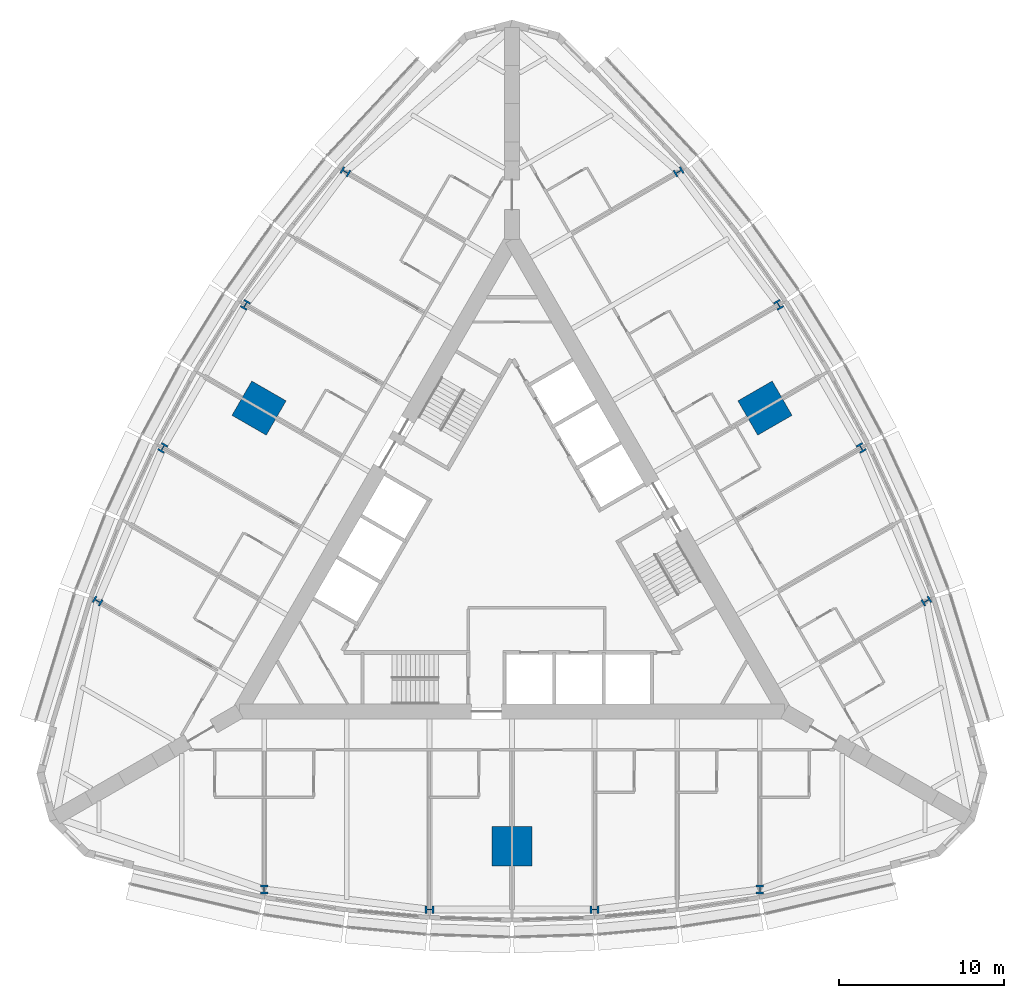
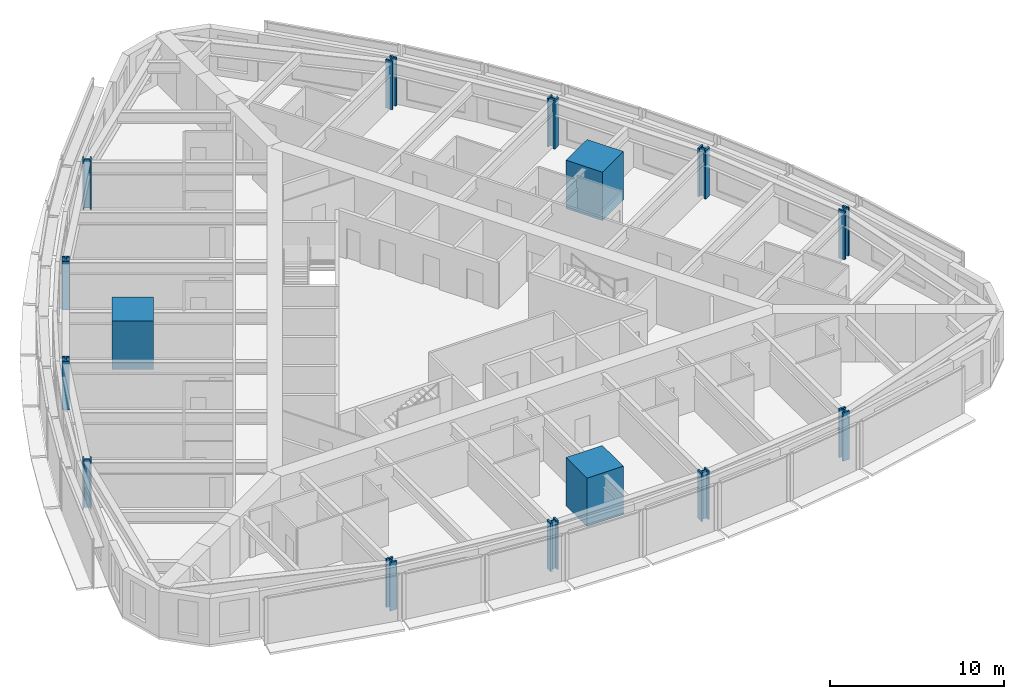
# One storey, part 1 of 14: 15 columns.
"""IFC4 building model written with IfcOpenShell, lengths in metres."""

import ifcopenshell
import ifcopenshell.guid

model = None  # the IFC model being written
_history = None  # IfcOwnerHistory: only IFC2X3 demands one
_inside = {}  # id of a spatial element -> (the spatial element, [elements in it])
_under = {}  # id of a project, library or spatial element -> (it, [spatial elements below it])
_declared = {}  # id of a project -> (the project, [libraries it declares])
_typed = {}  # id of a type object -> (the type object, [elements of that type])
_made_of = {}  # id of a material, layer set ... -> (it, [elements and type objects made of it])


def new_model(schema):
    """Start an empty IFC model of exactly this schema.

    Asked for "IFC4X3", IfcOpenShell would pick the latest addendum, in which some entities
    have other attributes; the version numbers below select the first issue.
    IFC2X3 requires an IfcOwnerHistory on every rooted entity: one is made here for all.
    """
    global model, _history
    if schema == "IFC4X3":
        model = ifcopenshell.file(schema_version=(4, 3, 0, 0))
    else:
        model = ifcopenshell.file(schema=schema)
    _inside.clear()
    _under.clear()
    _declared.clear()
    _typed.clear()
    _made_of.clear()
    _history = None
    if model.schema == "IFC2X3":
        org = make("IfcOrganization", Name="unknown")
        user = make(
            "IfcPersonAndOrganization",
            ThePerson=make("IfcPerson", FamilyName="unknown"),
            TheOrganization=org,
        )
        app = make(
            "IfcApplication",
            ApplicationDeveloper=org,
            Version="unknown",
            ApplicationFullName="unknown",
            ApplicationIdentifier="unknown",
        )
        _history = make(
            "IfcOwnerHistory",
            OwningUser=user,
            OwningApplication=app,
            ChangeAction="ADDED",
            CreationDate=0,
        )
    return model


def make(cls, **values):
    """One entity of the class cls with the attributes given. An attribute that is None is left unset."""
    return model.create_entity(
        cls, **{name: value for name, value in values.items() if value is not None}
    )


def rooted(cls, **values):
    """An entity with a GlobalId (a new one), such as an element, a storey or a relation."""
    return make(cls, GlobalId=ifcopenshell.guid.new(), OwnerHistory=_history, **values)


def si_unit(unit_type, name, prefix=None):
    """IfcSIUnit, for example si_unit("LENGTHUNIT", "METRE", prefix="MILLI")."""
    return make("IfcSIUnit", UnitType=unit_type, Prefix=prefix, Name=name)


def assignment(units):
    """IfcUnitAssignment: the units of a project."""
    return None if units is None else make("IfcUnitAssignment", Units=units)


def point(xyz):
    """IfcCartesianPoint."""
    return None if xyz is None else make("IfcCartesianPoint", Coordinates=xyz)


def direction(xyz):
    """IfcDirection."""
    return None if xyz is None else make("IfcDirection", DirectionRatios=xyz)


def frame(location, z_axis=None, x_axis=None):
    """IfcAxis2Placement3D, a coordinate frame: its origin and axes. An axis left out is left unset."""
    return make(
        "IfcAxis2Placement3D",
        Location=point(location),
        Axis=direction(z_axis),
        RefDirection=direction(x_axis),
    )


def frame_2d(location, x_axis=None):
    """IfcAxis2Placement2D, a coordinate frame in the plane: its origin and x axis."""
    return make(
        "IfcAxis2Placement2D", Location=point(location), RefDirection=direction(x_axis)
    )


def origin():
    """The frame at (0, 0, 0) with its axes left unset."""
    return frame((0.0, 0.0, 0.0))


def origin_2d():
    """The frame at (0, 0) in the plane with its x axis left unset."""
    return frame_2d((0.0, 0.0))


def place(relative_to, where):
    """IfcLocalPlacement: puts the frame where relative to a parent placement (None: the world)."""
    return make(
        "IfcLocalPlacement", PlacementRelTo=relative_to, RelativePlacement=where
    )


def context(
    kind, dimensions, precision=None, world=None, true_north=None, identifier=None
):
    """IfcGeometricRepresentationContext, for example the 3D "Model" context."""
    return make(
        "IfcGeometricRepresentationContext",
        ContextIdentifier=identifier,
        ContextType=kind,
        CoordinateSpaceDimension=dimensions,
        Precision=precision,
        WorldCoordinateSystem=world,
        TrueNorth=true_north,
    )


def subcontext(parent, identifier, kind, view, scale=None):
    """IfcGeometricRepresentationSubContext, for example "Body" below "Model"."""
    return make(
        "IfcGeometricRepresentationSubContext",
        ContextIdentifier=identifier,
        ContextType=kind,
        ParentContext=parent,
        TargetScale=scale,
        TargetView=view,
    )


def project(units=None, contexts=None):
    """IfcProject with its units and contexts."""
    return rooted(
        "IfcProject",
        Name="project",
        RepresentationContexts=contexts,
        UnitsInContext=assignment(units),
    )


def spatial(cls, under=None, at=None, **own):
    """A site, building, storey or space (cls), placed at a placement, below another one or the project."""
    s = rooted(cls, ObjectPlacement=at, **own)
    if under is not None:
        _under.setdefault(under.id(), (under, []))[1].append(s)
    return s


def profile(cls, at=None, kind="AREA", **sizes):
    """A parametric profile (cls). Its sizes go by their IFC names, for example OverallWidth=200.0."""
    return make(cls, ProfileType=kind, Position=at, **sizes)


def rectangle(**sizes):
    """IfcRectangleProfileDef."""
    return profile("IfcRectangleProfileDef", **sizes)


def i_section(**sizes):
    """IfcIShapeProfileDef."""
    return profile("IfcIShapeProfileDef", **sizes)


def extrude(swept, where, along, depth):
    """IfcExtrudedAreaSolid: the profile swept, set in the frame where, extruded along a direction by depth."""
    return make(
        "IfcExtrudedAreaSolid",
        SweptArea=swept,
        Position=where,
        ExtrudedDirection=direction(along),
        Depth=depth,
    )


def shape(context_of_items, identifier, shape_type, items):
    """IfcShapeRepresentation: the items that make up one representation, for example the "Body"."""
    return make(
        "IfcShapeRepresentation",
        ContextOfItems=context_of_items,
        RepresentationIdentifier=identifier,
        RepresentationType=shape_type,
        Items=items,
    )


def material(Name=None, Category=None):
    """IfcMaterial."""
    return make("IfcMaterial", Name=Name, Category=Category)


def material_profile(
    of_material, cross_section, Name=None, Category=None, Priority=None
):
    """IfcMaterialProfile: a cross section and its material."""
    return make(
        "IfcMaterialProfile",
        Name=Name,
        Material=of_material,
        Profile=cross_section,
        Priority=Priority,
        Category=Category,
    )


def profile_set(profiles, Name=None, composite=None):
    """IfcMaterialProfileSet."""
    return make(
        "IfcMaterialProfileSet",
        Name=Name,
        MaterialProfiles=profiles,
        CompositeProfile=composite,
    )


def made_of(thing, what):
    """Note that an element or type object is made of a material, layer set ...; save() writes the relation."""
    if what is not None:
        _made_of.setdefault(what.id(), (what, []))[1].append(thing)
    return thing


def type_object(cls, material=None, **own):
    """A type object (cls), such as IfcWallType, which elements share."""
    return made_of(rooted(cls, **own), material)


def element(
    cls,
    number,
    at=None,
    inside=None,
    cuts=None,
    type_object=None,
    material=None,
    context=None,
    identifier="Body",
    shape_type=None,
    held_by="IfcProductDefinitionShape",
    body=None,
    shapes=None,
    **own,
):
    """One element of the class cls, such as IfcWall. Its Tag is "e" and its number.

    at: its placement. inside: the storey or other place that contains it. cuts: it is an
    opening in that element (IfcRelVoidsElement). A single representation is given by context,
    identifier, shape_type and body (its items); several are given by shapes. held_by: the class
    of the entity that holds the representations. save() writes the other relations.
    """
    e = rooted(cls, Tag="e%d" % number, ObjectPlacement=at, **own)
    if body is not None:
        shapes = [shape(context, identifier, shape_type, body)]
    if shapes is not None:
        e.Representation = make(held_by, Representations=shapes)
    if inside is not None:
        _inside.setdefault(inside.id(), (inside, []))[1].append(e)
    if cuts is not None:
        rooted(
            "IfcRelVoidsElement", RelatingBuildingElement=cuts, RelatedOpeningElement=e
        )
    if type_object is not None:
        _typed.setdefault(type_object.id(), (type_object, []))[1].append(e)
    return made_of(e, material)


def aggregate(whole, parts):
    """IfcRelAggregates: a whole, such as a stair, and the parts it consists of."""
    return rooted("IfcRelAggregates", RelatingObject=whole, RelatedObjects=parts)


def save(model, path):
    """Write the relations noted so far, then the file.

    IfcRelAggregates (storeys below a building ...), IfcRelContainedInSpatialStructure (elements
    in a storey), IfcRelDefinesByType, IfcRelAssociatesMaterial and IfcRelDeclares: one each for
    every whole, place, type object, material and project.
    """
    for whole, parts in _under.values():
        aggregate(whole, parts)
    for where, things in _inside.values():
        rooted(
            "IfcRelContainedInSpatialStructure",
            RelatedElements=things,
            RelatingStructure=where,
        )
    for kind, things in _typed.values():
        rooted("IfcRelDefinesByType", RelatedObjects=things, RelatingType=kind)
    for what, things in _made_of.values():
        rooted("IfcRelAssociatesMaterial", RelatedObjects=things, RelatingMaterial=what)
    for by, libraries in _declared.values():
        rooted("IfcRelDeclares", RelatingContext=by, RelatedDefinitions=libraries)
    model.write(path)


model = new_model("IFC4")

# Units and contexts
model_context = context("Model", 3, precision=1e-05, world=origin(), true_north=direction((0.0, 1.0)))
body_context = subcontext(model_context, "Body", "Model", "MODEL_VIEW")
ifc_project = project(units=[si_unit("LENGTHUNIT", "METRE"), si_unit("AREAUNIT", "SQUARE_METRE"), si_unit("VOLUMEUNIT", "CUBIC_METRE"), si_unit("PLANEANGLEUNIT", "RADIAN"), si_unit("MASSUNIT", "GRAM", prefix="KILO")], contexts=[model_context])

# Site, building, storey
site_placement = place(None, origin())
site = spatial("IfcSite", under=ifc_project, at=site_placement, CompositionType="ELEMENT")
building_placement = place(site_placement, origin())
building = spatial("IfcBuilding", under=site, at=building_placement, Name="Trikona Tower", CompositionType="ELEMENT")
storey_placement = place(building_placement, frame((0.0, 0.0, 86.300048828125)))
storey = spatial("IfcBuildingStorey", under=building, at=storey_placement, Name="L22", CompositionType="ELEMENT", Elevation=86.300048828125)

# Columns
ifc_material_1 = material(Name="Concrete f'c 10000 psi with encased steel section", Category="concrete")
ifc_material_profile_1 = material_profile(ifc_material_1, rectangle(XDim=2.39990234375, YDim=2.39990234375, at=origin_2d()), Name="MC2400")
ifc_profile_set_1 = profile_set([ifc_material_profile_1], Name="Concrete f'c 10000 psi with encased steel section")
column_type_1 = type_object("IfcColumnType", Name="Composite mega column 2400x2400", PredefinedType="COLUMN", material=ifc_profile_set_1)
for number, where, z_axis, x_axis, name in (
    (1, (0.0, -17.680419921875, 0.0), (0.0, 0.0, 1.0), (0.0, -1.0, 0.0), "Mega column MC1"),
    (2, (15.311767578125, 8.84033203125, 0.0), (0.0, 0.0, 1.0), (0.866025403784, 0.5, 0.0), "Mega column MC2"),
    (3, (-15.311767578125, 8.84033203125, 0.0), (0.0, 0.0, 1.0), (-0.866025403784, 0.5, 0.0), "Mega column MC3"),
):
    element("IfcColumn", number, at=place(storey_placement, frame(where, z_axis=z_axis, x_axis=x_axis)), inside=storey, type_object=column_type_1, Name=name, PredefinedType="COLUMN", context=body_context, shape_type="SweptSolid", body=[
        extrude(rectangle(XDim=2.39990234375, YDim=2.39990234375, at=origin_2d()), origin(), (0.0, 0.0, 1.0), 3.39990234375),
    ])
ifc_material_2 = material(Name="Steel ASTM A992 Grade 50", Category="steel")
ifc_material_profile_2 = material_profile(ifc_material_2, i_section(OverallWidth=0.44189453125, OverallDepth=0.53076171875, WebThickness=0.06591796875, FlangeThickness=0.105712890625, at=origin_2d()), Name="W14X605")
ifc_profile_set_2 = profile_set([ifc_material_profile_2], Name="Steel ASTM A992 Grade 50")
column_type_2 = type_object("IfcColumnType", Name="Steel column W14x605", PredefinedType="COLUMN", material=ifc_profile_set_2)
for number, where, z_axis, x_axis, name in (
    (4, (-15.0, -20.302978515625, 0.0), (0.0, 0.0, 1.0), (1.0, 0.0, 0.0), "Column F0m15"),
    (5, (-5.0, -21.5205078125, 0.0), (0.0, 0.0, 1.0), (0.0, -1.0, 0.0), "Column F0m5"),
    (6, (5.0, -21.5205078125, 0.0), (0.0, 0.0, 1.0), (0.0, -1.0, 0.0), "Column F0p5"),
    (7, (15.0, -20.302978515625, 0.0), (0.0, 0.0, 1.0), (1.0, 0.0, 0.0), "Column F0p15"),
    (8, (25.0830078125, -2.8388671875, 0.0), (0.0, 0.0, 1.0), (-0.5, 0.866025403784, 0.0), "Column F1m15"),
    (9, (21.13720703125, 6.43017578125, 0.0), (0.0, 0.0, 1.0), (0.866025403784, 0.5, 0.0), "Column F1m5"),
    (10, (16.13720703125, 15.09033203125, 0.0), (0.0, 0.0, 1.0), (0.866025403784, 0.5, 0.0), "Column F1p5"),
    (11, (10.0830078125, 23.141845703125, 0.0), (0.0, 0.0, 1.0), (-0.5, 0.866025403784, 0.0), "Column F1p15"),
    (12, (-10.0830078125, 23.141845703125, 0.0), (0.0, 0.0, 1.0), (-0.5, -0.866025403784, 0.0), "Column F2m15"),
    (13, (-16.13720703125, 15.09033203125, 0.0), (0.0, 0.0, 1.0), (-0.866025403784, 0.5, 0.0), "Column F2m5"),
    (14, (-21.13720703125, 6.43017578125, 0.0), (0.0, 0.0, 1.0), (-0.866025403784, 0.5, 0.0), "Column F2p5"),
    (15, (-25.0830078125, -2.8388671875, 0.0), (0.0, 0.0, 1.0), (-0.5, -0.866025403784, 0.0), "Column F2p15"),
):
    element("IfcColumn", number, at=place(storey_placement, frame(where, z_axis=z_axis, x_axis=x_axis)), inside=storey, type_object=column_type_2, Name=name, PredefinedType="COLUMN", context=body_context, shape_type="SweptSolid", body=[
        extrude(i_section(OverallWidth=0.44189453125, OverallDepth=0.53076171875, WebThickness=0.06591796875, FlangeThickness=0.105712890625, at=origin_2d()), origin(), (0.0, 0.0, 1.0), 3.39990234375),
    ])

save(model, "model.ifc")
